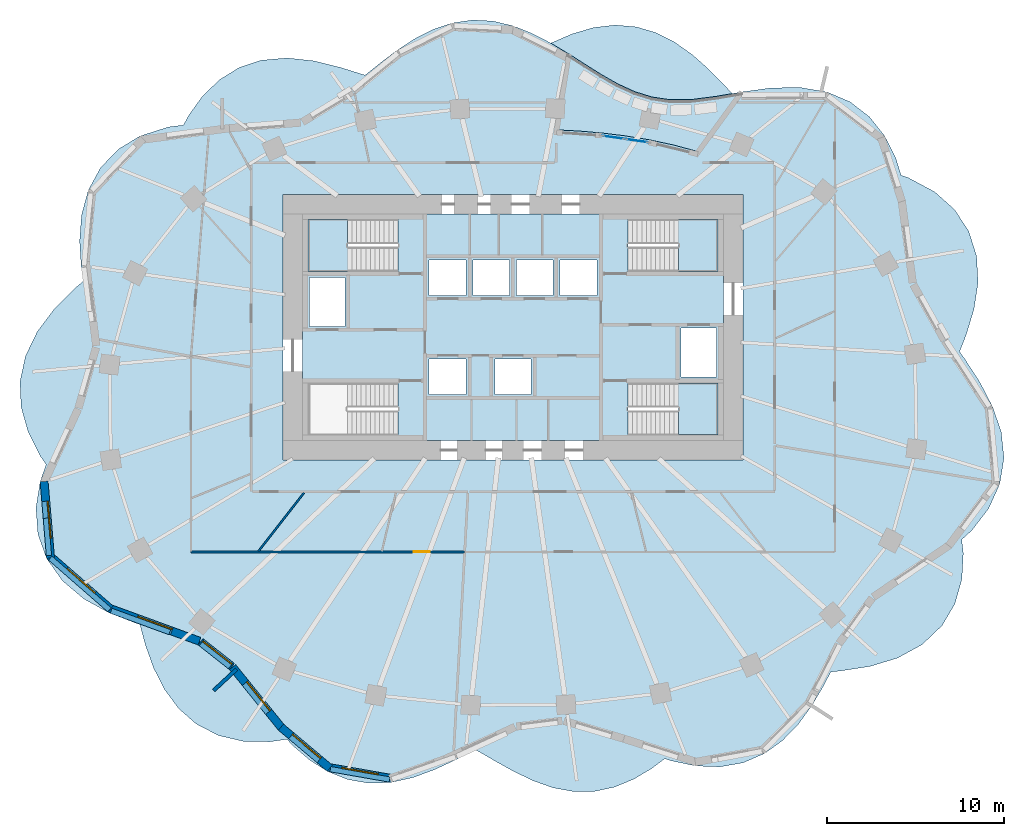
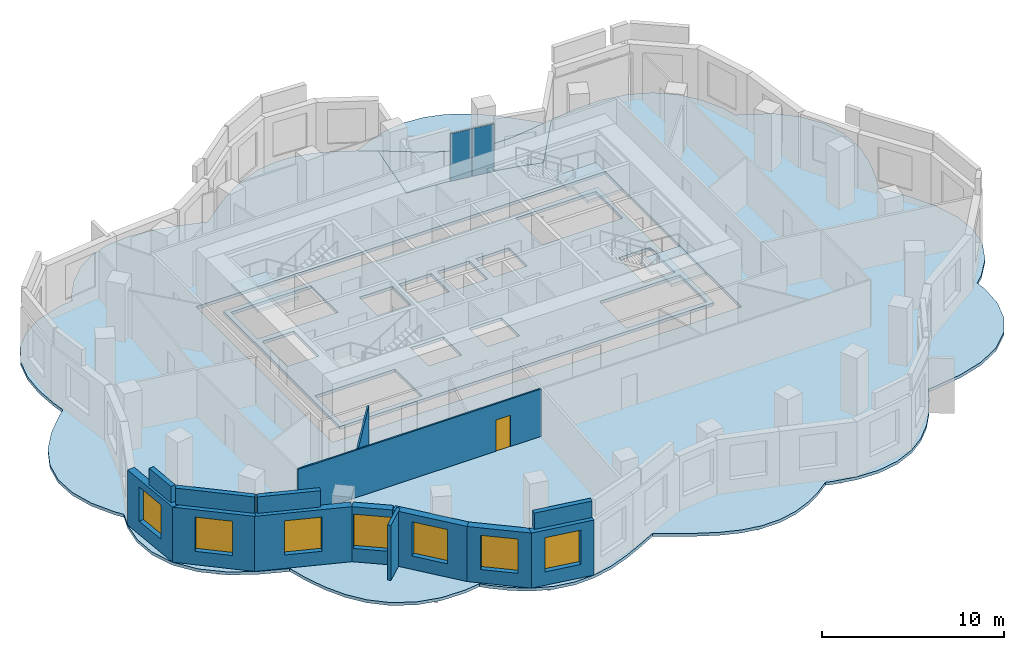
# One storey, part 4 of 11: 14 walls, 7 slabs, 7 windows, 2 plates, 1 door, 8 openings, 4 elements without a shape of their own.
"""IFC4 building model written with IfcOpenShell, lengths in metres."""

from ifc_helpers import new_model, si_unit, direction, frame, frame_2d, origin, origin_2d, place, context, subcontext, project, spatial, polyline, rectangle, outline, extrude, material, layer, layer_set, type_object, element, fill, aggregate, save


model = new_model("IFC4")

# Units and contexts
model_context = context("Model", 3, precision=1e-05, world=origin(), true_north=direction((0.0, 1.0)))
body_context = subcontext(model_context, "Body", "Model", "MODEL_VIEW")
ifc_project = project(units=[si_unit("LENGTHUNIT", "METRE"), si_unit("AREAUNIT", "SQUARE_METRE"), si_unit("VOLUMEUNIT", "CUBIC_METRE"), si_unit("PLANEANGLEUNIT", "RADIAN"), si_unit("MASSUNIT", "GRAM", prefix="KILO")], contexts=[model_context])

# Site, building, storey
site_placement = place(None, origin())
site = spatial("IfcSite", under=ifc_project, at=site_placement, CompositionType="ELEMENT")
building_placement = place(site_placement, origin())
building = spatial("IfcBuilding", under=site, at=building_placement, Name="Rubra Terraces Tower", CompositionType="ELEMENT")
storey_placement = place(building_placement, frame((0.0, 0.0, 146.10009765625)))
storey = spatial("IfcBuildingStorey", under=building, at=storey_placement, Name="L35", CompositionType="ELEMENT", Elevation=146.10009765625)

# Slab
ifc_material_1 = material(Name="Concrete C40", Category="concrete")
ifc_layer_1 = layer(ifc_material_1, 0.199951171875)
ifc_layer_set_1 = layer_set([ifc_layer_1], Name="Concrete C40")
slab_type_1 = type_object("IfcSlabType", Name="Core floor slab 200 concrete", PredefinedType="FLOOR", material=ifc_layer_set_1)
slab_1_placement = place(storey_placement, frame((0.0, 0.0, -0.2001953125)))
element("IfcSlab", 1, at=slab_1_placement, inside=storey, type_object=slab_type_1, Name="CORE FLOOR SLAB L35", PredefinedType="FLOOR", context=body_context, shape_type="SweptSolid", body=[
    extrude(outline(polyline([(-11.89990234375, -1.89990234375), (-11.89990234375, 10.89990234375), (11.89990234375, 10.89990234375), (11.89990234375, -1.89990234375), (-11.89990234375, -1.89990234375)]), holes=[polyline([(11.597900390625, 1.347900390625), (6.501953125, 1.347900390625), (6.501953125, -1.597900390625), (11.597900390625, -1.597900390625), (11.597900390625, 1.347900390625)]), polyline([(11.597900390625, 7.652099609375), (11.597900390625, 10.597900390625), (6.501953125, 10.597900390625), (6.501953125, 7.652099609375), (11.597900390625, 7.652099609375)]), polyline([(9.5, 1.699951171875), (11.5, 1.699951171875), (11.5, 4.449951171875), (9.5, 4.449951171875), (9.5, 1.699951171875)]), polyline([(4.75, 6.300048828125), (4.75, 8.300048828125), (2.64990234375, 8.300048828125), (2.64990234375, 6.300048828125), (4.75, 6.300048828125)]), polyline([(2.25, 8.300048828125), (0.199951171875, 8.300048828125), (0.199951171875, 6.300048828125), (2.25, 6.300048828125), (2.25, 8.300048828125)]), polyline([(1.02490234375, 0.699951171875), (1.02490234375, 2.699951171875), (-1.02490234375, 2.699951171875), (-1.02490234375, 0.699951171875), (1.02490234375, 0.699951171875)]), polyline([(-0.199951171875, 6.300048828125), (-0.199951171875, 8.300048828125), (-2.25, 8.300048828125), (-2.25, 6.300048828125), (-0.199951171875, 6.300048828125)]), polyline([(-4.75, 8.300048828125), (-4.75, 6.300048828125), (-2.64990234375, 6.300048828125), (-2.64990234375, 8.300048828125), (-4.75, 8.300048828125)]), polyline([(-2.64990234375, 0.699951171875), (-2.64990234375, 2.699951171875), (-4.75, 2.699951171875), (-4.75, 0.699951171875), (-2.64990234375, 0.699951171875)]), polyline([(-11.597900390625, -1.597900390625), (-6.501953125, -1.597900390625), (-6.501953125, 1.347900390625), (-11.597900390625, 1.347900390625), (-11.597900390625, -1.597900390625)]), polyline([(-11.597900390625, 10.597900390625), (-11.597900390625, 7.652099609375), (-6.501953125, 7.652099609375), (-6.501953125, 10.597900390625), (-11.597900390625, 10.597900390625)]), polyline([(-9.5, 4.550048828125), (-9.5, 7.300048828125), (-11.5, 7.300048828125), (-11.5, 4.550048828125), (-9.5, 4.550048828125)])]), origin(), (0.0, 0.0, 1.0), 0.2001953125),
])

# Stair, slab
stair_type = type_object("IfcStairType", Name="Core stair 1400", PredefinedType="HALF_TURN_STAIR", material=ifc_material_1)
stair_1_placement = place(storey_placement, origin())
stair_1 = element("IfcStair", 2, at=stair_1_placement, inside=storey, type_object=stair_type, Name="L35 Exit stair S2", PredefinedType="HALF_TURN_STAIR")
ifc_layer_2 = layer(ifc_material_1, 0.199951171875)
ifc_layer_set_2 = layer_set([ifc_layer_2], Name="Concrete C40")
slab_type_2 = type_object("IfcSlabType", Name="Core stair landing 200", PredefinedType="LANDING", material=ifc_layer_set_2)
slab_2_placement = place(storey_placement, frame((0.0, 0.0, 1.75)))
slab_2 = element("IfcSlab", 3, at=slab_2_placement, type_object=slab_type_2, Name="S2 landing 1", PredefinedType="LANDING", context=body_context, shape_type="SweptSolid", body=[
    extrude(outline(polyline([(-8.97998046875, 9.050048828125), (-8.97998046875, 7.64990234375), (-9.3798828125, 7.64990234375), (-11.60009765625, 7.64990234375), (-11.60009765625, 10.60009765625), (-9.3798828125, 10.60009765625), (-9.360107421875, 10.60009765625), (-9.35791015625, 10.60009765625), (-9.35791015625, 9.199951171875), (-9.360107421875, 9.199951171875), (-9.360107421875, 9.050048828125), (-8.97998046875, 9.050048828125)])), origin(), (0.0, 0.0, 1.0), 0.199951171875),
])
aggregate(stair_1, [slab_2])

stair_2_placement = place(storey_placement, origin())
stair_2 = element("IfcStair", 4, at=stair_2_placement, inside=storey, type_object=stair_type, Name="L35 Exit stair S3", PredefinedType="HALF_TURN_STAIR")
slab_3_placement = place(storey_placement, frame((0.0, 0.0, 1.75)))
slab_3 = element("IfcSlab", 5, at=slab_3_placement, type_object=slab_type_2, Name="S3 landing 1", PredefinedType="LANDING", context=body_context, shape_type="SweptSolid", body=[
    extrude(outline(polyline([(9.360107421875, 9.050048828125), (9.360107421875, 9.199951171875), (8.97998046875, 9.199951171875), (8.97998046875, 10.60009765625), (9.360107421875, 10.60009765625), (9.3798828125, 10.60009765625), (11.60009765625, 10.60009765625), (11.60009765625, 7.64990234375), (9.3798828125, 7.64990234375), (9.35791015625, 7.64990234375), (9.35791015625, 9.050048828125), (9.360107421875, 9.050048828125)])), origin(), (0.0, 0.0, 1.0), 0.199951171875),
])
aggregate(stair_2, [slab_3])

stair_3_placement = place(storey_placement, origin())
stair_3 = element("IfcStair", 6, at=stair_3_placement, inside=storey, type_object=stair_type, Name="L35 Exit stair S4", PredefinedType="HALF_TURN_STAIR")
slab_4_placement = place(storey_placement, frame((0.0, 0.0, 1.75)))
slab_4 = element("IfcSlab", 7, at=slab_4_placement, type_object=slab_type_2, Name="S4 landing 1", PredefinedType="LANDING", context=body_context, shape_type="SweptSolid", body=[
    extrude(outline(polyline([(9.360107421875, -0.199951171875), (9.360107421875, -0.050048828125), (8.97998046875, -0.050048828125), (8.97998046875, 1.35009765625), (9.360107421875, 1.35009765625), (9.3798828125, 1.35009765625), (11.60009765625, 1.35009765625), (11.60009765625, -1.60009765625), (9.3798828125, -1.60009765625), (9.360107421875, -1.60009765625), (9.35791015625, -1.60009765625), (9.35791015625, -0.199951171875), (9.360107421875, -0.199951171875)])), origin(), (0.0, 0.0, 1.0), 0.199951171875),
])
aggregate(stair_3, [slab_4])

# Slabs
ifc_layer_3 = layer(ifc_material_1, 0.199951171875)
ifc_layer_set_3 = layer_set([ifc_layer_3], Name="Concrete C40")
slab_type_3 = type_object("IfcSlabType", Name="FLOOR SLAB 200 COMPOSITE", PredefinedType="FLOOR", material=ifc_layer_set_3)
slab_5_placement = place(storey_placement, frame((0.0, 0.0, -0.2001953125)))
element("IfcSlab", 8, at=slab_5_placement, inside=storey, type_object=slab_type_3, Name="FLOOR SLAB L35", PredefinedType="FLOOR", context=body_context, shape_type="SweptSolid", body=[
    extrude(outline(polyline([(25.4599609375, -8.27294921875), (25.368896484375, -7.5048828125), (25.94091796875, -6.986083984375), (26.89306640625, -5.7451171875), (27.52001953125, -4.35888671875), (27.758056640625, -2.89501953125), (27.60400390625, -1.422119140625), (27.116943359375, 0.0), (26.39990234375, 1.382080078125), (25.549072265625, 2.694091796875), (25.24609375, 3.115966796875), (25.614990234375, 4.056884765625), (26.06005859375, 5.510009765625), (26.291015625, 7.01806640625), (26.2109375, 8.51611328125), (25.76708984375, 9.925048828125), (24.9599609375, 11.156005859375), (23.844970703125, 12.14990234375), (22.326904296875, 12.964111328125), (21.93994140625, 13.089111328125), (21.64404296875, 14.050048828125), (21.032958984375, 15.281982421875), (20.157958984375, 16.39111328125), (19.06201171875, 17.238037109375), (17.787109375, 17.787109375), (16.205078125, 18.05908203125), (14.56103515625, 18.02392578125), (12.93310546875, 17.801025390625), (10.47900390625, 14.423095703125), (9.094970703125, 14.797119140625), (7.69189453125, 15.096923828125), (6.364990234375, 15.31591796875), (5.030029296875, 15.47998046875), (3.756103515625, 15.589111328125), (2.47998046875, 15.657958984375), (3.159912109375, 19.948974609375), (2.1240234375, 20.571044921875), (1.06689453125, 21.115966796875), (0.0, 21.537109375), (-1.136962890625, 21.80908203125), (-2.2880859375, 21.867919921875), (-3.43701171875, 21.697998046875), (-4.5048828125, 21.339111328125), (-5.5458984375, 20.81201171875), (-6.550048828125, 20.159912109375), (-7.468017578125, 19.468017578125), (-8.35205078125, 18.756103515625), (-8.426025390625, 18.77001953125), (-9.780029296875, 19.194091796875), (-11.27392578125, 19.56005859375), (-12.77490234375, 19.721923828125), (-14.23388671875, 19.592041015625), (-15.471923828125, 19.18310546875), (-16.589111328125, 18.493896484375), (-17.555908203125, 17.555908203125), (-18.319091796875, 16.498046875), (-18.626953125, 15.926025390625), (-19.4560546875, 15.825927734375), (-21.076904296875, 15.31298828125), (-22.318115234375, 14.55810546875), (-23.31494140625, 13.51611328125), (-24.011962890625, 12.235107421875), (-24.387939453125, 10.840087890625), (-24.4990234375, 9.3798828125), (-24.408935546875, 7.930908203125), (-24.2900390625, 7.10498046875), (-24.782958984375, 6.68310546875), (-25.9169921875, 5.549072265625), (-26.887939453125, 4.259033203125), (-27.554931640625, 2.8779296875), (-27.867919921875, 1.43408203125), (-27.806884765625, 0.0), (-27.407958984375, -1.41796875), (-26.7099609375, -2.801025390625), (-26.389892578125, -3.25390625), (-26.214111328125, -2.748046875), (-26.72998046875, -4.23388671875), (-26.966064453125, -5.718017578125), (-26.85693359375, -7.18896484375), (-26.367919921875, -8.56689453125), (-25.468017578125, -9.8359375), (-24.2529296875, -10.863037109375), (-22.845947265625, -11.64111328125), (-21.23095703125, -12.264892578125), (-21.0869140625, -12.31201171875), (-20.782958984375, -13.4541015625), (-20.31689453125, -14.761962890625), (-19.697021484375, -15.98193359375), (-18.89697265625, -17.056884765625), (-17.919921875, -17.919921875), (-16.65087890625, -18.5810546875), (-15.242919921875, -18.908935546875), (-13.757080078125, -18.93505859375), (-12.77490234375, -18.798095703125), (-12.424072265625, -19.1708984375), (-11.498046875, -19.965087890625), (-10.498046875, -20.60302734375), (-9.344970703125, -21.069091796875), (-8.137939453125, -21.279052734375), (-6.89892578125, -21.23291015625), (-5.633056640625, -20.951904296875), (-4.3798828125, -20.487060546875), (-3.154052734375, -19.912109375), (-2.110107421875, -19.385986328125), (-2.012939453125, -19.44091796875), (-1.013916015625, -20.02294921875), (0.0, -20.5869140625), (1.131103515625, -21.134033203125), (2.281005859375, -21.5400390625), (3.445068359375, -21.751953125), (4.596923828125, -21.739990234375), (5.73291015625, -21.5), (6.837890625, -21.0439453125), (7.826904296875, -20.4541015625), (8.5791015625, -19.89111328125), (8.930908203125, -20.007080078125), (10.344970703125, -20.302978515625), (11.705078125, -20.35302734375), (13.013916015625, -20.12109375), (14.23388671875, -19.591064453125), (15.238037109375, -18.864990234375), (16.1259765625, -17.947021484375), (16.89501953125, -16.89501953125), (17.55908203125, -15.77001953125), (17.966064453125, -14.985107421875), (18.468994140625, -14.93701171875), (20.19189453125, -14.669921875), (21.739013671875, -14.201904296875), (23.134033203125, -13.43896484375), (24.260986328125, -12.362060546875), (24.98291015625, -11.135986328125), (25.3779296875, -9.7451171875), (25.4599609375, -8.27294921875)]), holes=[polyline([(13.0, 12.0), (13.0, -3.0), (-13.0, -3.0), (-13.0, 12.0), (13.0, 12.0)])]), origin(), (0.0, 0.0, 1.0), 0.2001953125),
])
slab_6_placement = place(storey_placement, frame((0.0, 0.0, -0.2001953125)))
element("IfcSlab", 9, at=slab_6_placement, inside=storey, type_object=slab_type_3, Name="FLOOR SLAB L35", PredefinedType="FLOOR", context=body_context, shape_type="SweptSolid", body=[
    extrude(outline(polyline([(5.77294921875, 21.5830078125), (4.552978515625, 21.43994140625), (3.339111328125, 21.0810546875), (2.205078125, 20.589111328125), (2.14599609375, 20.55810546875), (3.159912109375, 19.948974609375), (4.10400390625, 19.344970703125), (5.02587890625, 18.76611328125), (5.930908203125, 18.2529296875), (6.89306640625, 17.81201171875), (7.860107421875, 17.512939453125), (8.847900390625, 17.364990234375), (10.133056640625, 17.3759765625), (11.493896484375, 17.552001953125), (12.39501953125, 17.7080078125), (11.868896484375, 18.27294921875), (11.032958984375, 19.117919921875), (10.14208984375, 19.905029296875), (9.14306640625, 20.613037109375), (8.0849609375, 21.14990234375), (6.97900390625, 21.47900390625), (5.77294921875, 21.5830078125)])), origin(), (0.0, 0.0, 1.0), 0.2001953125),
])
slab_7_placement = place(storey_placement, frame((0.0, 0.0, -0.2001953125)))
element("IfcSlab", 10, at=slab_7_placement, inside=storey, type_object=slab_type_3, Name="TERRACE SLAB L35", PredefinedType="FLOOR", context=body_context, shape_type="SweptSolid", body=[
    extrude(outline(polyline([(12.93310546875, 17.801025390625), (11.493896484375, 17.552001953125), (10.133056640625, 17.3759765625), (8.847900390625, 17.364990234375), (7.860107421875, 17.512939453125), (6.89306640625, 17.81201171875), (5.930908203125, 18.2529296875), (5.02587890625, 18.76611328125), (4.10400390625, 19.344970703125), (3.159912109375, 19.948974609375), (2.47998046875, 15.657958984375), (3.756103515625, 15.589111328125), (5.030029296875, 15.47998046875), (6.364990234375, 15.31591796875), (7.69189453125, 15.096923828125), (9.094970703125, 14.797119140625), (10.47900390625, 14.423095703125), (12.93310546875, 17.801025390625)])), origin(), (0.0, 0.0, 1.0), 0.2001953125),
])

# Curtain wall, plates
ifc_material_2 = material(Name="Aluminium and glass", Category="aluminium")
curtain_wall_type = type_object("IfcCurtainWallType", Name="Curtain wall Terrace glazing", PredefinedType="NOTDEFINED", material=ifc_material_2)
curtain_wall_placement = place(storey_placement, origin())
curtain_wall = element("IfcCurtainWall", 11, at=curtain_wall_placement, inside=storey, type_object=curtain_wall_type, Name="Terrace glazing L35", PredefinedType="NOTDEFINED")
ifc_material_3 = material(Name="Clear glass, laminated", Category="glass")
ifc_layer_4 = layer(ifc_material_3, 0.028076171875)
ifc_layer_set_4 = layer_set([ifc_layer_4], Name="Clear glass, laminated")
plate_type = type_object("IfcPlateType", Name="Terrace glazing glass panel 28", PredefinedType="CURTAIN_PANEL", material=ifc_layer_set_4)
plate_1_placement = place(storey_placement, frame((6.99267578125, 15.046142578125, 0.10009765625), z_axis=(0.0, 0.0, 1.0), x_axis=(-0.989807704707, 0.142410349704, 0.0)))
plate_1 = element("IfcPlate", 12, at=plate_1_placement, type_object=plate_type, Name="CW3 panel 1.1", PredefinedType="CURTAIN_PANEL", context=body_context, shape_type="SweptSolid", body=[
    extrude(rectangle(XDim=1.269775390625, YDim=0.028076171875, at=origin_2d()), origin(), (0.0, 0.0, 1.0), 3.199951171875),
])
plate_2_placement = place(storey_placement, frame((5.6865234375, 15.23388671875, 0.10009765625), z_axis=(0.0, 0.0, 1.0), x_axis=(-0.989807704707, 0.142410349704, 0.0)))
plate_2 = element("IfcPlate", 13, at=plate_2_placement, type_object=plate_type, Name="CW3 panel 2.1", PredefinedType="CURTAIN_PANEL", context=body_context, shape_type="SweptSolid", body=[
    extrude(rectangle(XDim=1.269775390625, YDim=0.028076171875, at=origin_2d()), origin(), (0.0, 0.0, 1.0), 3.199951171875),
])
aggregate(curtain_wall, [plate_1, plate_2])

# Wall, opening, window
ifc_material_4 = material(Name="Brick masonry red-brown", Category="masonry")
ifc_layer_5 = layer(ifc_material_4, 0.449951171875)
ifc_layer_set_5 = layer_set([ifc_layer_5], Name="Brick masonry red-brown")
wall_type_1 = type_object("IfcWallType", Name="Brick facade wall 450", PredefinedType="SOLIDWALL", material=ifc_layer_set_5)
wall_1_placement = place(storey_placement, frame((-26.505859375, -4.21533203125, 0.0), z_axis=(0.0, 0.0, 1.0), x_axis=(0.083268523648, -0.996527146128, 0.0)))
wall_1 = element("IfcWall", 14, at=wall_1_placement, inside=storey, type_object=wall_type_1, Name="Facade wall L35 bay 22", PredefinedType="SOLIDWALL", context=body_context, shape_type="SweptSolid", body=[
    extrude(rectangle(XDim=4.34814453125, YDim=0.449951171875, at=frame_2d((2.174072265625, 0.0))), origin(), (0.0, 0.0, 1.0), 3.699951171875),
])
opening_1_placement = place(wall_1_placement, frame((1.1240234375, 0.0, 0.89990234375)))
opening_1 = element("IfcOpeningElement", 15, at=opening_1_placement, cuts=wall_1, Name="Opening W1B", PredefinedType="OPENING", context=body_context, shape_type="SweptSolid", body=[
    extrude(rectangle(XDim=2.10009765625, YDim=2.300048828125, at=frame_2d((1.050048828125, 1.14990234375))), frame((0.0, 0.23486328125, 0.0), z_axis=(0.0, -1.0, 0.0), x_axis=(1.0, 0.0, 0.0)), (0.0, 0.0, 1.0), 0.469970703125),
])
ifc_material_5 = material(Name="Clear glass in aluminium frame", Category="aluminium")
window_type = type_object("IfcWindowType", Name="Fixed deep-set window tall storey 2100 x 2300", PartitioningType="SINGLE_PANEL", PredefinedType="WINDOW", material=ifc_material_5)
window_1_placement = place(opening_1_placement, origin())
window_1 = element("IfcWindow", 16, at=window_1_placement, inside=storey, type_object=window_type, Name="Window L35 bay 22", OverallHeight=2.300048828125, OverallWidth=2.10009765625, PartitioningType="SINGLE_PANEL", PredefinedType="WINDOW", context=body_context, shape_type="SweptSolid", body=[
    extrude(rectangle(XDim=2.10009765625, YDim=2.300048828125, at=frame_2d((1.050048828125, 1.14990234375))), frame((0.0, 0.135009765625, 0.0), z_axis=(0.0, -1.0, 0.0), x_axis=(1.0, 0.0, 0.0)), (0.0, 0.0, 1.0), 0.06005859375),
])
fill(opening_1, window_1)

wall_2_placement = place(storey_placement, frame((-26.219970703125, -8.3974609375, 0.0), z_axis=(0.0, 0.0, 1.0), x_axis=(0.753386948361, -0.657577452502, 0.0)))
wall_2 = element("IfcWall", 17, at=wall_2_placement, inside=storey, type_object=wall_type_1, Name="Facade wall L35 bay 23", PredefinedType="SOLIDWALL", context=body_context, shape_type="SweptSolid", body=[
    extrude(rectangle(XDim=4.607177734375, YDim=0.449951171875, at=frame_2d((2.3037109375, 0.0))), origin(), (0.0, 0.0, 1.0), 3.699951171875),
])
opening_2_placement = place(wall_2_placement, frame((1.253662109375, 0.0, 0.89990234375)))
opening_2 = element("IfcOpeningElement", 18, at=opening_2_placement, cuts=wall_2, Name="Opening W1B", PredefinedType="OPENING", context=body_context, shape_type="SweptSolid", body=[
    extrude(rectangle(XDim=2.10009765625, YDim=2.300048828125, at=frame_2d((1.050048828125, 1.14990234375))), frame((0.0, 0.23486328125, 0.0), z_axis=(0.0, -1.0, 0.0), x_axis=(1.0, 0.0, 0.0)), (0.0, 0.0, 1.0), 0.469970703125),
])
window_2_placement = place(opening_2_placement, origin())
window_2 = element("IfcWindow", 19, at=window_2_placement, inside=storey, type_object=window_type, Name="Window L35 bay 23", OverallHeight=2.300048828125, OverallWidth=2.10009765625, PartitioningType="SINGLE_PANEL", PredefinedType="WINDOW", context=body_context, shape_type="SweptSolid", body=[
    extrude(rectangle(XDim=2.10009765625, YDim=2.300048828125, at=frame_2d((1.050048828125, 1.14990234375))), frame((0.0, 0.135009765625, 0.0), z_axis=(0.0, -1.0, 0.0), x_axis=(1.0, 0.0, 0.0)), (0.0, 0.0, 1.0), 0.06005859375),
])
fill(opening_2, window_2)

wall_3_placement = place(storey_placement, frame((-22.81982421875, -11.38525390625, 0.0), z_axis=(0.0, 0.0, 1.0), x_axis=(0.939252372986, -0.343227300546, 0.0)))
wall_3 = element("IfcWall", 20, at=wall_3_placement, inside=storey, type_object=wall_type_1, Name="Facade wall L35 bay 24", PredefinedType="SOLIDWALL", context=body_context, shape_type="SweptSolid", body=[
    extrude(rectangle(XDim=5.426513671875, YDim=0.449951171875, at=frame_2d((2.71337890625, 0.0))), origin(), (0.0, 0.0, 1.0), 3.699951171875),
])
opening_3_placement = place(wall_3_placement, frame((1.663330078125, 0.0, 0.89990234375)))
opening_3 = element("IfcOpeningElement", 21, at=opening_3_placement, cuts=wall_3, Name="Opening W1B", PredefinedType="OPENING", context=body_context, shape_type="SweptSolid", body=[
    extrude(rectangle(XDim=2.10009765625, YDim=2.300048828125, at=frame_2d((1.050048828125, 1.14990234375))), frame((0.0, 0.23486328125, 0.0), z_axis=(0.0, -1.0, 0.0), x_axis=(1.0, 0.0, 0.0)), (0.0, 0.0, 1.0), 0.469970703125),
])
window_3_placement = place(opening_3_placement, origin())
window_3 = element("IfcWindow", 22, at=window_3_placement, inside=storey, type_object=window_type, Name="Window L35 bay 24", OverallHeight=2.300048828125, OverallWidth=2.10009765625, PartitioningType="SINGLE_PANEL", PredefinedType="WINDOW", context=body_context, shape_type="SweptSolid", body=[
    extrude(rectangle(XDim=2.10009765625, YDim=2.300048828125, at=frame_2d((1.050048828125, 1.14990234375))), frame((0.0, 0.135009765625, 0.0), z_axis=(0.0, -1.0, 0.0), x_axis=(1.0, 0.0, 0.0)), (0.0, 0.0, 1.0), 0.06005859375),
])
fill(opening_3, window_3)

wall_4_placement = place(storey_placement, frame((-17.660888671875, -13.2822265625, 0.0), z_axis=(0.0, 0.0, 1.0), x_axis=(0.785466196165, -0.618904560237, 0.0)))
wall_4 = element("IfcWall", 23, at=wall_4_placement, inside=storey, type_object=wall_type_1, Name="Facade wall L35 bay 25", PredefinedType="SOLIDWALL", context=body_context, shape_type="SweptSolid", body=[
    extrude(rectangle(XDim=2.2587890625, YDim=0.449951171875, at=frame_2d((1.12939453125, 0.0))), origin(), (0.0, 0.0, 1.0), 3.699951171875),
])
opening_4_placement = place(wall_4_placement, frame((0.079345703125, 0.0, 0.89990234375)))
opening_4 = element("IfcOpeningElement", 24, at=opening_4_placement, cuts=wall_4, Name="Opening W1B", PredefinedType="OPENING", context=body_context, shape_type="SweptSolid", body=[
    extrude(rectangle(XDim=2.10009765625, YDim=2.300048828125, at=frame_2d((1.050048828125, 1.14990234375))), frame((0.0, 0.23486328125, 0.0), z_axis=(0.0, -1.0, 0.0), x_axis=(1.0, 0.0, 0.0)), (0.0, 0.0, 1.0), 0.469970703125),
])
window_4_placement = place(opening_4_placement, origin())
window_4 = element("IfcWindow", 25, at=window_4_placement, inside=storey, type_object=window_type, Name="Window L35 bay 25", OverallHeight=2.300048828125, OverallWidth=2.10009765625, PartitioningType="SINGLE_PANEL", PredefinedType="WINDOW", context=body_context, shape_type="SweptSolid", body=[
    extrude(rectangle(XDim=2.10009765625, YDim=2.300048828125, at=frame_2d((1.050048828125, 1.14990234375))), frame((0.0, 0.135009765625, 0.0), z_axis=(0.0, -1.0, 0.0), x_axis=(1.0, 0.0, 0.0)), (0.0, 0.0, 1.0), 0.06005859375),
])
fill(opening_4, window_4)

wall_5_placement = place(storey_placement, frame((-15.850830078125, -14.71533203125, 0.0), z_axis=(0.0, 0.0, 1.0), x_axis=(0.628253185779, -0.778008955321, 0.0)))
wall_5 = element("IfcWall", 26, at=wall_5_placement, inside=storey, type_object=wall_type_1, Name="Facade wall L35 bay 26", PredefinedType="SOLIDWALL", context=body_context, shape_type="SweptSolid", body=[
    extrude(rectangle(XDim=4.401611328125, YDim=0.449951171875, at=frame_2d((2.20068359375, 0.0))), origin(), (0.0, 0.0, 1.0), 3.699951171875),
])
opening_5_placement = place(wall_5_placement, frame((1.15087890625, 0.0, 0.89990234375)))
opening_5 = element("IfcOpeningElement", 27, at=opening_5_placement, cuts=wall_5, Name="Opening W1B", PredefinedType="OPENING", context=body_context, shape_type="SweptSolid", body=[
    extrude(rectangle(XDim=2.10009765625, YDim=2.300048828125, at=frame_2d((1.050048828125, 1.14990234375))), frame((0.0, 0.23486328125, 0.0), z_axis=(0.0, -1.0, 0.0), x_axis=(1.0, 0.0, 0.0)), (0.0, 0.0, 1.0), 0.469970703125),
])
window_5_placement = place(opening_5_placement, origin())
window_5 = element("IfcWindow", 28, at=window_5_placement, inside=storey, type_object=window_type, Name="Window L35 bay 26", OverallHeight=2.300048828125, OverallWidth=2.10009765625, PartitioningType="SINGLE_PANEL", PredefinedType="WINDOW", context=body_context, shape_type="SweptSolid", body=[
    extrude(rectangle(XDim=2.10009765625, YDim=2.300048828125, at=frame_2d((1.050048828125, 1.14990234375))), frame((0.0, 0.135009765625, 0.0), z_axis=(0.0, -1.0, 0.0), x_axis=(1.0, 0.0, 0.0)), (0.0, 0.0, 1.0), 0.06005859375),
])
fill(opening_5, window_5)

wall_6_placement = place(storey_placement, frame((-13.11572265625, -18.109130859375, 0.0), z_axis=(0.0, 0.0, 1.0), x_axis=(0.765524906053, -0.64340626218, 0.0)))
wall_6 = element("IfcWall", 29, at=wall_6_placement, inside=storey, type_object=wall_type_1, Name="Facade wall L35 bay 27", PredefinedType="SOLIDWALL", context=body_context, shape_type="SweptSolid", body=[
    extrude(rectangle(XDim=3.608642578125, YDim=0.449951171875, at=frame_2d((1.80419921875, 0.0))), origin(), (0.0, 0.0, 1.0), 3.699951171875),
])
opening_6_placement = place(wall_6_placement, frame((0.754150390625, 0.0, 0.89990234375)))
opening_6 = element("IfcOpeningElement", 30, at=opening_6_placement, cuts=wall_6, Name="Opening W1B", PredefinedType="OPENING", context=body_context, shape_type="SweptSolid", body=[
    extrude(rectangle(XDim=2.10009765625, YDim=2.300048828125, at=frame_2d((1.050048828125, 1.14990234375))), frame((0.0, 0.23486328125, 0.0), z_axis=(0.0, -1.0, 0.0), x_axis=(1.0, 0.0, 0.0)), (0.0, 0.0, 1.0), 0.469970703125),
])
window_6_placement = place(opening_6_placement, origin())
window_6 = element("IfcWindow", 31, at=window_6_placement, inside=storey, type_object=window_type, Name="Window L35 bay 27", OverallHeight=2.300048828125, OverallWidth=2.10009765625, PartitioningType="SINGLE_PANEL", PredefinedType="WINDOW", context=body_context, shape_type="SweptSolid", body=[
    extrude(rectangle(XDim=2.10009765625, YDim=2.300048828125, at=frame_2d((1.050048828125, 1.14990234375))), frame((0.0, 0.135009765625, 0.0), z_axis=(0.0, -1.0, 0.0), x_axis=(1.0, 0.0, 0.0)), (0.0, 0.0, 1.0), 0.06005859375),
])
fill(opening_6, window_6)

wall_7_placement = place(storey_placement, frame((-10.459228515625, -20.38134765625, 0.0), z_axis=(0.0, 0.0, 1.0), x_axis=(0.985017416972, -0.172454887614, 0.0)))
wall_7 = element("IfcWall", 32, at=wall_7_placement, inside=storey, type_object=wall_type_1, Name="Facade wall L35 bay 28", PredefinedType="SOLIDWALL", context=body_context, shape_type="SweptSolid", body=[
    extrude(rectangle(XDim=3.65380859375, YDim=0.449951171875, at=frame_2d((1.826904296875, 0.0))), origin(), (0.0, 0.0, 1.0), 3.699951171875),
])
opening_7_placement = place(wall_7_placement, frame((0.77685546875, 0.0, 0.89990234375)))
opening_7 = element("IfcOpeningElement", 33, at=opening_7_placement, cuts=wall_7, Name="Opening W1B", PredefinedType="OPENING", context=body_context, shape_type="SweptSolid", body=[
    extrude(rectangle(XDim=2.10009765625, YDim=2.300048828125, at=frame_2d((1.050048828125, 1.14990234375))), frame((0.0, 0.23486328125, 0.0), z_axis=(0.0, -1.0, 0.0), x_axis=(1.0, 0.0, 0.0)), (0.0, 0.0, 1.0), 0.469970703125),
])
window_7_placement = place(opening_7_placement, origin())
window_7 = element("IfcWindow", 34, at=window_7_placement, inside=storey, type_object=window_type, Name="Window L35 bay 28", OverallHeight=2.300048828125, OverallWidth=2.10009765625, PartitioningType="SINGLE_PANEL", PredefinedType="WINDOW", context=body_context, shape_type="SweptSolid", body=[
    extrude(rectangle(XDim=2.10009765625, YDim=2.300048828125, at=frame_2d((1.050048828125, 1.14990234375))), frame((0.0, 0.135009765625, 0.0), z_axis=(0.0, -1.0, 0.0), x_axis=(1.0, 0.0, 0.0)), (0.0, 0.0, 1.0), 0.06005859375),
])
fill(opening_7, window_7)

# Walls
ifc_layer_6 = layer(ifc_material_4, 0.300048828125)
ifc_layer_set_6 = layer_set([ifc_layer_6], Name="Brick masonry red-brown")
wall_type_2 = type_object("IfcWallType", Name="Brick parapet 300", PredefinedType="PARAPET", material=ifc_layer_set_6)
wall_8_placement = place(storey_placement, frame((-26.4072265625, -6.296142578125, 3.89990234375), z_axis=(0.0, 0.0, 1.0), x_axis=(0.083236561351, -0.99652981634, 0.0)))
element("IfcWall", 35, at=wall_8_placement, inside=storey, type_object=wall_type_2, Name="Parapet L35 bay 22", PredefinedType="PARAPET", context=body_context, shape_type="SweptSolid", body=[
    extrude(rectangle(XDim=2.11474609375, YDim=0.300048828125, at=frame_2d((1.057373046875, 0.0))), origin(), (0.0, 0.0, 1.0), 1.10009765625),
])
wall_9_placement = place(storey_placement, frame((-26.1552734375, -8.5537109375, 3.89990234375), z_axis=(0.0, 0.0, 1.0), x_axis=(0.753400870431, -0.657561501636, 0.0)))
element("IfcWall", 36, at=wall_9_placement, inside=storey, type_object=wall_type_2, Name="Parapet L35 bay 23", PredefinedType="PARAPET", context=body_context, shape_type="SweptSolid", body=[
    extrude(rectangle(XDim=4.4375, YDim=0.300048828125, at=frame_2d((2.21875, 0.0))), origin(), (0.0, 0.0, 1.0), 1.10009765625),
])
wall_10_placement = place(storey_placement, frame((-22.714111328125, -11.529541015625, 3.89990234375), z_axis=(0.0, 0.0, 1.0), x_axis=(0.93926063174, -0.343204699361, 0.0)))
element("IfcWall", 37, at=wall_10_placement, inside=storey, type_object=wall_type_2, Name="Parapet L35 bay 24", PredefinedType="PARAPET", context=body_context, shape_type="SweptSolid", body=[
    extrude(rectangle(XDim=3.526123046875, YDim=0.300048828125, at=frame_2d((1.76318359375, 0.0))), origin(), (0.0, 0.0, 1.0), 1.10009765625),
])
wall_11_placement = place(storey_placement, frame((-10.322265625, -20.4814453125, 3.89990234375), z_axis=(0.0, 0.0, 1.0), x_axis=(0.985027412627, -0.172397785292, 0.0)))
element("IfcWall", 38, at=wall_11_placement, inside=storey, type_object=wall_type_2, Name="Parapet L35 bay 28", PredefinedType="PARAPET", context=body_context, shape_type="SweptSolid", body=[
    extrude(rectangle(XDim=3.39306640625, YDim=0.300048828125, at=frame_2d((1.696533203125, 0.0))), origin(), (0.0, 0.0, 1.0), 1.10009765625),
])
ifc_layer_7 = layer(ifc_material_4, 0.199951171875)
ifc_layer_set_7 = layer_set([ifc_layer_7], Name="Brick masonry red-brown")
wall_type_3 = type_object("IfcWallType", Name="Brick wind fin 200", PredefinedType="SOLIDWALL", material=ifc_layer_set_7)
wall_12_placement = place(storey_placement, frame((-15.632080078125, -14.837890625, 0.0), z_axis=(0.0, 0.0, 1.0), x_axis=(-0.73177399504, -0.681547371929, 0.0)))
element("IfcWall", 39, at=wall_12_placement, inside=storey, type_object=wall_type_3, Name="Wind fin L35 12", PredefinedType="SOLIDWALL", context=body_context, shape_type="SweptSolid", body=[
    extrude(rectangle(XDim=1.75, YDim=0.199951171875, at=frame_2d((0.875, 0.0))), origin(), (0.0, 0.0, 1.0), 3.699951171875),
])

# Wall, opening, door
ifc_material_6 = material(Name="Plasterboard on steel stud", Category="steel")
ifc_layer_8 = layer(ifc_material_6, 0.10009765625)
ifc_layer_set_8 = layer_set([ifc_layer_8], Name="Plasterboard on steel stud")
wall_type_4 = type_object("IfcWallType", Name="ROOM PARTITION 100", PredefinedType="PARTITIONING", material=ifc_layer_set_8)
wall_13_placement = place(storey_placement, frame((-2.749267578125, -8.199951171875, 0.0), z_axis=(0.0, 0.0, 1.0), x_axis=(-1.0, 0.0, 0.0)))
wall_13 = element("IfcWall", 40, at=wall_13_placement, inside=storey, type_object=wall_type_4, Name="PARTITION", PredefinedType="PARTITIONING", context=body_context, shape_type="SweptSolid", body=[
    extrude(rectangle(XDim=15.45068359375, YDim=0.10009765625, at=frame_2d((7.725341796875, 0.0))), origin(), (0.0, 0.0, 1.0), 3.183837890625),
])
opening_8_placement = place(wall_13_placement, frame((1.968017578125, 0.0, 0.0)))
opening_8 = element("IfcOpeningElement", 41, at=opening_8_placement, cuts=wall_13, Name="Opening 35-108", PredefinedType="OPENING", context=body_context, shape_type="SweptSolid", body=[
    extrude(rectangle(XDim=0.89990234375, YDim=2.10009765625, at=frame_2d((0.449951171875, 1.050048828125))), frame((0.0, 0.06005859375, 0.0), z_axis=(0.0, -1.0, 0.0), x_axis=(1.0, 0.0, 0.0)), (0.0, 0.0, 1.0), 0.1201171875),
])
ifc_material_7 = material(Name="Painted timber door leaf", Category="wood")
door_type = type_object("IfcDoorType", Name="ROOM DOOR 900 X 2100", OperationType="SINGLE_SWING_LEFT", PredefinedType="DOOR", material=ifc_material_7)
door_placement = place(opening_8_placement, origin())
door = element("IfcDoor", 42, at=door_placement, inside=storey, type_object=door_type, Name="DOOR 35-108", OperationType="SINGLE_SWING_LEFT", OverallHeight=2.10009765625, OverallWidth=0.89990234375, PredefinedType="DOOR", context=body_context, shape_type="SweptSolid", body=[
    extrude(rectangle(XDim=0.89990234375, YDim=2.10009765625, at=frame_2d((0.449951171875, 1.050048828125))), frame((0.0, 0.02490234375, 0.0), z_axis=(0.0, -1.0, 0.0), x_axis=(1.0, 0.0, 0.0)), (0.0, 0.0, 1.0), 0.050048828125),
])
fill(opening_8, door)

# Wall
wall_14_placement = place(storey_placement, frame((-11.81103515625, -4.859130859375, 0.0), z_axis=(0.0, 0.0, 1.0), x_axis=(-0.614997719786, -0.788528886382, 0.0)))
element("IfcWall", 43, at=wall_14_placement, inside=storey, type_object=wall_type_4, Name="PARTITION", PredefinedType="PARTITIONING", context=body_context, shape_type="SweptSolid", body=[
    extrude(rectangle(XDim=4.18701171875, YDim=0.10009765625, at=frame_2d((2.093505859375, 0.0))), origin(), (0.0, 0.0, 1.0), 3.183837890625),
])

save(model, "model.ifc")
